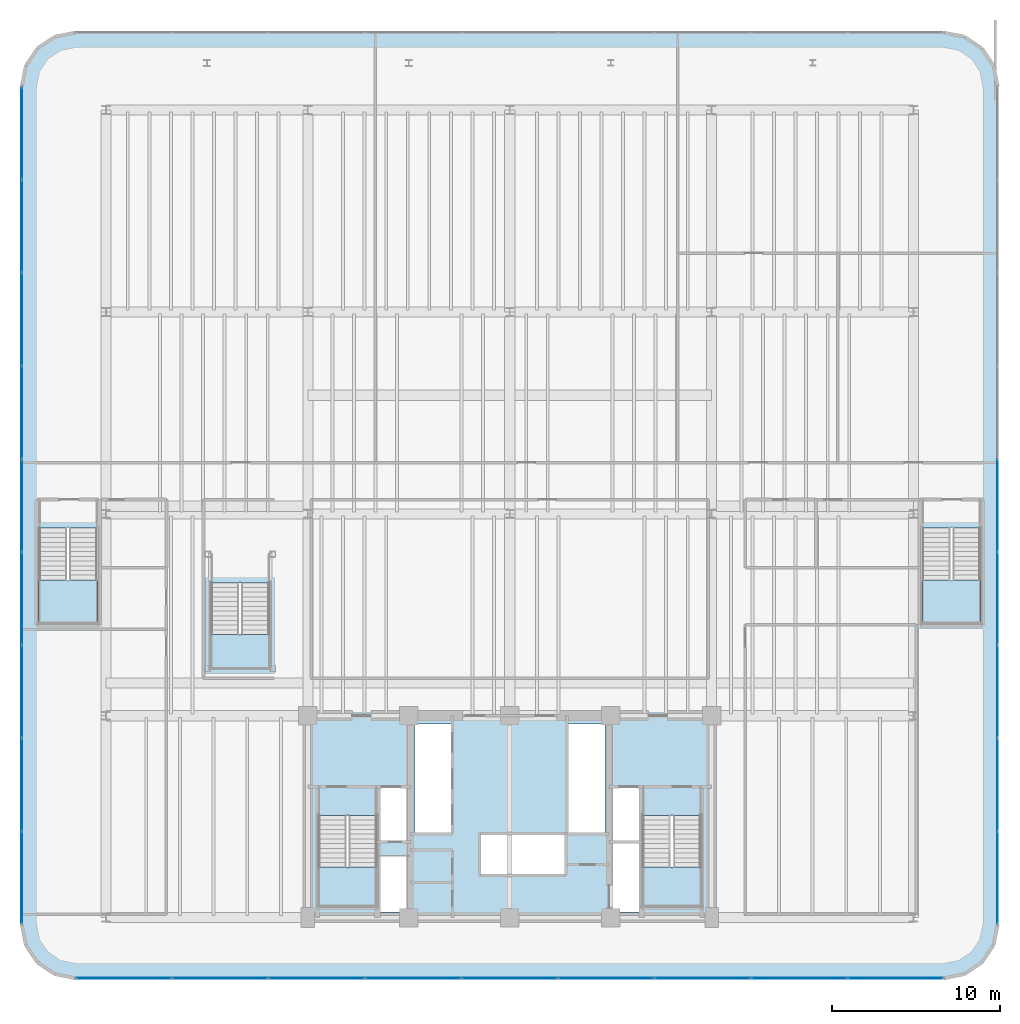
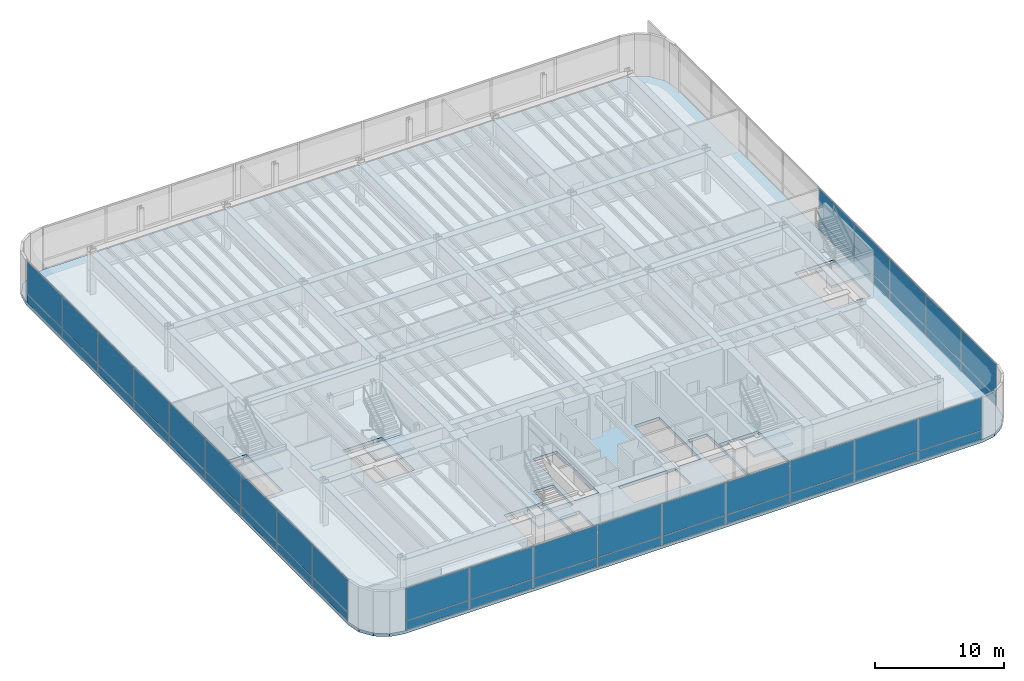
# One storey, part 11 of 19: 46 plates, 6 slabs, 8 elements without a shape of their own.
"""IFC4 building model written with IfcOpenShell, lengths in metres."""

from ifc_helpers import new_model, si_unit, direction, frame, origin, origin_2d, place, context, subcontext, project, spatial, polyline, rectangle, outline, extrude, source, transform, mapped, material, layer, layer_set, type_object, element, aggregate, save


model = new_model("IFC4")

# Units and contexts
model_context = context("Model", 3, precision=1e-05, world=origin(), true_north=direction((0.0, 1.0)))
body_context = subcontext(model_context, "Body", "Model", "MODEL_VIEW")
ifc_project = project(units=[si_unit("LENGTHUNIT", "METRE"), si_unit("AREAUNIT", "SQUARE_METRE"), si_unit("VOLUMEUNIT", "CUBIC_METRE"), si_unit("PLANEANGLEUNIT", "RADIAN"), si_unit("MASSUNIT", "GRAM", prefix="KILO")], contexts=[model_context])

# Site, building, storey
site_placement = place(None, origin())
site = spatial("IfcSite", under=ifc_project, at=site_placement, CompositionType="ELEMENT")
building_placement = place(site_placement, origin())
building = spatial("IfcBuilding", under=site, at=building_placement, Name="Brelvock Crest Care Tower", CompositionType="ELEMENT")
storey_placement = place(building_placement, frame((0.0, 0.0, 18.360107421875)))
storey = spatial("IfcBuildingStorey", under=building, at=storey_placement, Name="L04", CompositionType="ELEMENT", Elevation=18.360107421875)

# Slab
ifc_material_1 = material(Name="Concrete N50 (50 MPa)", Category="concrete")
ifc_layer_1 = layer(ifc_material_1, 0.280029296875, Name="SLB-FL2")
ifc_layer_set_1 = layer_set([ifc_layer_1], Name="Concrete N50 (50 MPa)")
slab_type_1 = type_object("IfcSlabType", Name="SLB-FL2", PredefinedType="FLOOR", material=ifc_layer_set_1)
slab_1_placement = place(storey_placement, frame((0.0, 0.0, -0.280029296875)))
element("IfcSlab", 1, at=slab_1_placement, inside=storey, type_object=slab_type_1, Name="L04 Main Structural Slab", PredefinedType="FLOOR", context=body_context, shape_type="SweptSolid", body=[
    extrude(outline(polyline([(61.800048828125, 2.39990234375), (63.024658203125, 2.6435546875), (64.062744140625, 3.33740234375), (64.75634765625, 4.37548828125), (65.0, 5.60009765625), (65.0, 55.39990234375), (64.75634765625, 56.62451171875), (64.062744140625, 57.66259765625), (63.024658203125, 58.3564453125), (61.800048828125, 58.60009765625), (10.199951171875, 58.60009765625), (8.975341796875, 58.3564453125), (7.937255859375, 57.66259765625), (7.24365234375, 56.62451171875), (7.0, 55.39990234375), (7.0, 5.60009765625), (7.24365234375, 4.37548828125), (7.937255859375, 3.33740234375), (8.975341796875, 2.6435546875), (10.199951171875, 2.39990234375), (61.800048828125, 2.39990234375)]), holes=[polyline([(28.239990234375, 10.580078125), (29.97998046875, 10.580078125), (29.97998046875, 13.739990234375), (28.239990234375, 13.739990234375), (28.239990234375, 10.580078125)]), polyline([(42.02001953125, 10.580078125), (43.760009765625, 10.580078125), (43.760009765625, 13.739990234375), (42.02001953125, 13.739990234375), (42.02001953125, 10.580078125)]), polyline([(28.239990234375, 6.340087890625), (29.97998046875, 6.340087890625), (29.97998046875, 9.64990234375), (28.239990234375, 9.64990234375), (28.239990234375, 6.340087890625)]), polyline([(24.6298828125, 12.080078125), (24.6298828125, 6.699951171875), (28.110107421875, 6.699951171875), (28.110107421875, 12.080078125), (24.6298828125, 12.080078125)]), polyline([(43.889892578125, 12.080078125), (43.889892578125, 6.699951171875), (47.3701171875, 6.699951171875), (47.3701171875, 12.080078125), (43.889892578125, 12.080078125)]), polyline([(8.010009765625, 29.14990234375), (8.010009765625, 23.5), (11.489990234375, 23.5), (11.489990234375, 29.14990234375), (8.010009765625, 29.14990234375)]), polyline([(60.510009765625, 29.14990234375), (60.510009765625, 23.5), (63.989990234375, 23.5), (63.989990234375, 29.14990234375), (60.510009765625, 29.14990234375)]), polyline([(18.239990234375, 25.89990234375), (18.239990234375, 20.800048828125), (21.719970703125, 20.800048828125), (21.719970703125, 25.89990234375), (18.239990234375, 25.89990234375)]), polyline([(42.02001953125, 6.340087890625), (43.760009765625, 6.340087890625), (43.760009765625, 10.5), (42.02001953125, 10.5), (42.02001953125, 6.340087890625)]), polyline([(30.3798828125, 11.030029296875), (32.52001953125, 11.030029296875), (32.52001953125, 17.52001953125), (30.3798828125, 17.52001953125), (30.3798828125, 11.030029296875)]), polyline([(34.22998046875, 8.530029296875), (39.320068359375, 8.530029296875), (39.320068359375, 10.969970703125), (34.22998046875, 10.969970703125), (34.22998046875, 8.530029296875)]), polyline([(39.429931640625, 11.030029296875), (41.669921875, 11.030029296875), (41.669921875, 17.52001953125), (39.429931640625, 17.52001953125), (39.429931640625, 11.030029296875)])]), origin(), (0.0, 0.0, 1.0), 0.280029296875),
])

# Stair, slab
ifc_material_2 = material(Name="Concrete N40 (40 MPa)", Category="concrete")
stair_type_1 = type_object("IfcStairType", Name="ST-CORE1", PredefinedType="HALF_TURN_STAIR", material=ifc_material_2)
stair_1_placement = place(storey_placement, origin())
stair_1 = element("IfcStair", 2, at=stair_1_placement, inside=storey, type_object=stair_type_1, Name="L04 Fire-Isolated Core Stair ST-1", PredefinedType="HALF_TURN_STAIR")
ifc_layer_2 = layer(ifc_material_2, 0.199951171875, Name="STL-1")
ifc_layer_set_2 = layer_set([ifc_layer_2], Name="Concrete N40 (40 MPa)")
slab_type_2 = type_object("IfcSlabType", Name="STL-1", PredefinedType="LANDING", material=ifc_layer_set_2)
slab_2_placement = place(storey_placement, frame((0.0, 0.0, 1.9599609375)))
slab_2 = element("IfcSlab", 3, at=slab_2_placement, type_object=slab_type_2, Name="ST-1 landing 1", PredefinedType="LANDING", context=body_context, shape_type="SweptSolid", body=[
    extrude(outline(polyline([(24.6298828125, 9.0), (24.6298828125, 6.699951171875), (28.110107421875, 6.699951171875), (28.110107421875, 9.0), (24.6298828125, 9.0)])), origin(), (0.0, 0.0, 1.0), 0.199951171875),
])
aggregate(stair_1, [slab_2])

stair_2_placement = place(storey_placement, origin())
stair_2 = element("IfcStair", 4, at=stair_2_placement, inside=storey, type_object=stair_type_1, Name="L04 Fire-Isolated Core Stair ST-2", PredefinedType="HALF_TURN_STAIR")
slab_3_placement = place(storey_placement, frame((0.0, 0.0, 1.9599609375)))
slab_3 = element("IfcSlab", 5, at=slab_3_placement, type_object=slab_type_2, Name="ST-2 landing 1", PredefinedType="LANDING", context=body_context, shape_type="SweptSolid", body=[
    extrude(outline(polyline([(43.889892578125, 9.0), (43.889892578125, 6.699951171875), (47.3701171875, 6.699951171875), (47.3701171875, 9.0), (43.889892578125, 9.0)])), origin(), (0.0, 0.0, 1.0), 0.199951171875),
])
aggregate(stair_2, [slab_3])

stair_type_2 = type_object("IfcStairType", Name="ST-POD1", PredefinedType="HALF_TURN_STAIR", material=ifc_material_2)
stair_3_placement = place(storey_placement, origin())
stair_3 = element("IfcStair", 6, at=stair_3_placement, inside=storey, type_object=stair_type_2, Name="L04 Podium West Fire Stair ST-3", PredefinedType="HALF_TURN_STAIR")
slab_4_placement = place(storey_placement, frame((0.0, 0.0, 1.9599609375)))
slab_4 = element("IfcSlab", 7, at=slab_4_placement, type_object=slab_type_2, Name="ST-3 landing 1", PredefinedType="LANDING", context=body_context, shape_type="SweptSolid", body=[
    extrude(outline(polyline([(8.010009765625, 26.070068359375), (8.010009765625, 23.5), (11.489990234375, 23.5), (11.489990234375, 26.070068359375), (8.010009765625, 26.070068359375)])), origin(), (0.0, 0.0, 1.0), 0.199951171875),
])
aggregate(stair_3, [slab_4])

stair_4_placement = place(storey_placement, origin())
stair_4 = element("IfcStair", 8, at=stair_4_placement, inside=storey, type_object=stair_type_2, Name="L04 Podium East Fire Stair ST-4", PredefinedType="HALF_TURN_STAIR")
slab_5_placement = place(storey_placement, frame((0.0, 0.0, 1.9599609375)))
slab_5 = element("IfcSlab", 9, at=slab_5_placement, type_object=slab_type_2, Name="ST-4 landing 1", PredefinedType="LANDING", context=body_context, shape_type="SweptSolid", body=[
    extrude(outline(polyline([(60.510009765625, 26.070068359375), (60.510009765625, 23.5), (63.989990234375, 23.5), (63.989990234375, 26.070068359375), (60.510009765625, 26.070068359375)])), origin(), (0.0, 0.0, 1.0), 0.199951171875),
])
aggregate(stair_4, [slab_5])

stair_type_3 = type_object("IfcStairType", Name="ST-FEA1", PredefinedType="HALF_TURN_STAIR", material=ifc_material_2)
stair_5_placement = place(storey_placement, origin())
stair_5 = element("IfcStair", 10, at=stair_5_placement, inside=storey, type_object=stair_type_3, Name="L04 Clinic Atrium Feature Stair ST-5", PredefinedType="HALF_TURN_STAIR")
slab_6_placement = place(storey_placement, frame((0.0, 0.0, 1.9599609375)))
slab_6 = element("IfcSlab", 11, at=slab_6_placement, type_object=slab_type_2, Name="ST-5 landing 1", PredefinedType="LANDING", context=body_context, shape_type="SweptSolid", body=[
    extrude(outline(polyline([(18.239990234375, 22.820068359375), (18.239990234375, 20.800048828125), (21.719970703125, 20.800048828125), (21.719970703125, 22.820068359375), (18.239990234375, 22.820068359375)])), origin(), (0.0, 0.0, 1.0), 0.199951171875),
])
aggregate(stair_5, [slab_6])

# Curtain wall, plates
ifc_material_3 = material(Name="Dark Glass Double Glazed Low-E", Category="glass")
ifc_layer_3 = layer(ifc_material_3, 0.179931640625, Name="CWS-1")
ifc_layer_set_3 = layer_set([ifc_layer_3], Name="Dark Glass Double Glazed Low-E")
curtain_wall_type = type_object("IfcCurtainWallType", Name="CWS-1", PredefinedType="NOTDEFINED", material=ifc_layer_set_3)
curtain_wall_1_placement = place(storey_placement, origin())
curtain_wall_1 = element("IfcCurtainWall", 12, at=curtain_wall_1_placement, inside=storey, type_object=curtain_wall_type, Name="L04 Curtain Wall E04", PredefinedType="NOTDEFINED")
ifc_material_4 = material(Name="Dark Glass Shadow-Box Spandrel", Category="glass")
ifc_layer_4 = layer(ifc_material_4, 0.048095703125, Name="CWP-SP1")
ifc_layer_set_4 = layer_set([ifc_layer_4], Name="Dark Glass Shadow-Box Spandrel")
plate_type_1 = type_object("IfcPlateType", Name="CWP-SP1", PredefinedType="SHEET", material=ifc_layer_set_4)
shared_shape_1 = source(origin(), body_context, "Body", "SweptSolid", [
    extrude(rectangle(XDim=5.435791015625, YDim=0.035888671875, at=origin_2d()), origin(), (0.0, 0.0, 1.0), 0.802490234375),
])
plate_1_placement = place(storey_placement, frame((7.0, 8.3828125, 0.06494140625), z_axis=(0.0, 0.0, 1.0), x_axis=(0.0, 1.0, 0.0)))
plate_1 = element("IfcPlate", 13, at=plate_1_placement, type_object=plate_type_1, Name="CW-1 panel 1.1", PredefinedType="SHEET", context=body_context, shape_type="MappedRepresentation", body=[
    mapped(shared_shape_1, transform((0.0, 0.0, 0.0), x_axis=(1.0, 0.0, 0.0), y_axis=(0.0, 1.0, 0.0), z_axis=(0.0, 0.0, 1.0), scale=1.0)),
])
plate_2_placement = place(storey_placement, frame((7.0, 52.6171875, 0.06494140625), z_axis=(0.0, 0.0, 1.0), x_axis=(0.0, 1.0, 0.0)))
plate_2 = element("IfcPlate", 14, at=plate_2_placement, type_object=plate_type_1, Name="CW-1 panel 9.1", PredefinedType="SHEET", context=body_context, shape_type="MappedRepresentation", body=[
    mapped(shared_shape_1, transform((0.0, 0.0, 0.0), x_axis=(1.0, 0.0, 0.0), y_axis=(0.0, 1.0, 0.0), z_axis=(0.0, 0.0, 1.0), scale=1.0)),
])

# Curtain wall, plate
curtain_wall_2_placement = place(storey_placement, origin())
curtain_wall_2 = element("IfcCurtainWall", 15, at=curtain_wall_2_placement, inside=storey, type_object=curtain_wall_type, Name="L04 Curtain Wall E14", PredefinedType="NOTDEFINED")
plate_3_placement = place(storey_placement, frame((65.0, 8.3828125, 0.06494140625), z_axis=(0.0, 0.0, 1.0), x_axis=(0.0, -1.0, 0.0)))
plate_3 = element("IfcPlate", 16, at=plate_3_placement, type_object=plate_type_1, Name="CW-1 panel 9.1", PredefinedType="SHEET", context=body_context, shape_type="MappedRepresentation", body=[
    mapped(shared_shape_1, transform((0.0, 0.0, 0.0), x_axis=(1.0, 0.0, 0.0), y_axis=(0.0, 1.0, 0.0), z_axis=(0.0, 0.0, 1.0), scale=1.0)),
])

# Plate
ifc_layer_5 = layer(ifc_material_3, 0.031982421875, Name="CWP-V1")
ifc_layer_set_5 = layer_set([ifc_layer_5], Name="Dark Glass Double Glazed Low-E")
plate_type_2 = type_object("IfcPlateType", Name="CWP-V1", PredefinedType="CURTAIN_PANEL", material=ifc_layer_set_5)
shared_shape_2 = source(origin(), body_context, "Body", "SweptSolid", [
    extrude(rectangle(XDim=5.435791015625, YDim=0.035888671875, at=origin_2d()), origin(), (0.0, 0.0, 1.0), 3.04248046875),
])
plate_4_placement = place(storey_placement, frame((7.0, 8.3828125, 0.932373046875), z_axis=(0.0, 0.0, 1.0), x_axis=(0.0, 1.0, 0.0)))
plate_4 = element("IfcPlate", 17, at=plate_4_placement, type_object=plate_type_2, Name="CW-1 panel 1.2", PredefinedType="CURTAIN_PANEL", context=body_context, shape_type="MappedRepresentation", body=[
    mapped(shared_shape_2, transform((0.0, 0.0, 0.0), x_axis=(1.0, 0.0, 0.0), y_axis=(0.0, 1.0, 0.0), z_axis=(0.0, 0.0, 1.0), scale=1.0)),
])

plate_5_placement = place(storey_placement, frame((7.0, 52.6171875, 0.932373046875), z_axis=(0.0, 0.0, 1.0), x_axis=(0.0, 1.0, 0.0)))
plate_5 = element("IfcPlate", 18, at=plate_5_placement, type_object=plate_type_2, Name="CW-1 panel 9.2", PredefinedType="CURTAIN_PANEL", context=body_context, shape_type="MappedRepresentation", body=[
    mapped(shared_shape_2, transform((0.0, 0.0, 0.0), x_axis=(1.0, 0.0, 0.0), y_axis=(0.0, 1.0, 0.0), z_axis=(0.0, 0.0, 1.0), scale=1.0)),
])

plate_6_placement = place(storey_placement, frame((65.0, 8.3828125, 0.932373046875), z_axis=(0.0, 0.0, 1.0), x_axis=(0.0, -1.0, 0.0)))
plate_6 = element("IfcPlate", 19, at=plate_6_placement, type_object=plate_type_2, Name="CW-1 panel 9.2", PredefinedType="CURTAIN_PANEL", context=body_context, shape_type="MappedRepresentation", body=[
    mapped(shared_shape_2, transform((0.0, 0.0, 0.0), x_axis=(1.0, 0.0, 0.0), y_axis=(0.0, 1.0, 0.0), z_axis=(0.0, 0.0, 1.0), scale=1.0)),
])

shared_shape_3 = source(origin(), body_context, "Body", "SweptSolid", [
    extrude(rectangle(XDim=5.46826171875, YDim=0.035888671875, at=origin_2d()), origin(), (0.0, 0.0, 1.0), 0.802490234375),
])
plate_7_placement = place(storey_placement, frame((7.0, 13.89990234375, 0.06494140625), z_axis=(0.0, 0.0, 1.0), x_axis=(0.0, 1.0, 0.0)))
plate_7 = element("IfcPlate", 20, at=plate_7_placement, type_object=plate_type_1, Name="CW-1 panel 2.1", PredefinedType="SHEET", context=body_context, shape_type="MappedRepresentation", body=[
    mapped(shared_shape_3, transform((0.0, 0.0, 0.0), x_axis=(1.0, 0.0, 0.0), y_axis=(0.0, 1.0, 0.0), z_axis=(0.0, 0.0, 1.0), scale=1.0)),
])

plate_8_placement = place(storey_placement, frame((7.0, 19.433349609375, 0.06494140625), z_axis=(0.0, 0.0, 1.0), x_axis=(0.0, 1.0, 0.0)))
plate_8 = element("IfcPlate", 21, at=plate_8_placement, type_object=plate_type_1, Name="CW-1 panel 3.1", PredefinedType="SHEET", context=body_context, shape_type="MappedRepresentation", body=[
    mapped(shared_shape_3, transform((0.0, 0.0, 0.0), x_axis=(1.0, 0.0, 0.0), y_axis=(0.0, 1.0, 0.0), z_axis=(0.0, 0.0, 1.0), scale=1.0)),
])

plate_9_placement = place(storey_placement, frame((7.0, 24.966552734375, 0.06494140625), z_axis=(0.0, 0.0, 1.0), x_axis=(0.0, 1.0, 0.0)))
plate_9 = element("IfcPlate", 22, at=plate_9_placement, type_object=plate_type_1, Name="CW-1 panel 4.1", PredefinedType="SHEET", context=body_context, shape_type="MappedRepresentation", body=[
    mapped(shared_shape_3, transform((0.0, 0.0, 0.0), x_axis=(1.0, 0.0, 0.0), y_axis=(0.0, 1.0, 0.0), z_axis=(0.0, 0.0, 1.0), scale=1.0)),
])

plate_10_placement = place(storey_placement, frame((7.0, 30.5, 0.06494140625), z_axis=(0.0, 0.0, 1.0), x_axis=(0.0, 1.0, 0.0)))
plate_10 = element("IfcPlate", 23, at=plate_10_placement, type_object=plate_type_1, Name="CW-1 panel 5.1", PredefinedType="SHEET", context=body_context, shape_type="MappedRepresentation", body=[
    mapped(shared_shape_3, transform((0.0, 0.0, 0.0), x_axis=(1.0, 0.0, 0.0), y_axis=(0.0, 1.0, 0.0), z_axis=(0.0, 0.0, 1.0), scale=1.0)),
])

plate_11_placement = place(storey_placement, frame((7.0, 36.033447265625, 0.06494140625), z_axis=(0.0, 0.0, 1.0), x_axis=(0.0, 1.0, 0.0)))
plate_11 = element("IfcPlate", 24, at=plate_11_placement, type_object=plate_type_1, Name="CW-1 panel 6.1", PredefinedType="SHEET", context=body_context, shape_type="MappedRepresentation", body=[
    mapped(shared_shape_3, transform((0.0, 0.0, 0.0), x_axis=(1.0, 0.0, 0.0), y_axis=(0.0, 1.0, 0.0), z_axis=(0.0, 0.0, 1.0), scale=1.0)),
])

plate_12_placement = place(storey_placement, frame((7.0, 41.566650390625, 0.06494140625), z_axis=(0.0, 0.0, 1.0), x_axis=(0.0, 1.0, 0.0)))
plate_12 = element("IfcPlate", 25, at=plate_12_placement, type_object=plate_type_1, Name="CW-1 panel 7.1", PredefinedType="SHEET", context=body_context, shape_type="MappedRepresentation", body=[
    mapped(shared_shape_3, transform((0.0, 0.0, 0.0), x_axis=(1.0, 0.0, 0.0), y_axis=(0.0, 1.0, 0.0), z_axis=(0.0, 0.0, 1.0), scale=1.0)),
])

plate_13_placement = place(storey_placement, frame((7.0, 47.10009765625, 0.06494140625), z_axis=(0.0, 0.0, 1.0), x_axis=(0.0, 1.0, 0.0)))
plate_13 = element("IfcPlate", 26, at=plate_13_placement, type_object=plate_type_1, Name="CW-1 panel 8.1", PredefinedType="SHEET", context=body_context, shape_type="MappedRepresentation", body=[
    mapped(shared_shape_3, transform((0.0, 0.0, 0.0), x_axis=(1.0, 0.0, 0.0), y_axis=(0.0, 1.0, 0.0), z_axis=(0.0, 0.0, 1.0), scale=1.0)),
])

plate_14_placement = place(storey_placement, frame((65.0, 30.5, 0.06494140625), z_axis=(0.0, 0.0, 1.0), x_axis=(0.0, -1.0, 0.0)))
plate_14 = element("IfcPlate", 27, at=plate_14_placement, type_object=plate_type_1, Name="CW-1 panel 5.1", PredefinedType="SHEET", context=body_context, shape_type="MappedRepresentation", body=[
    mapped(shared_shape_3, transform((0.0, 0.0, 0.0), x_axis=(1.0, 0.0, 0.0), y_axis=(0.0, 1.0, 0.0), z_axis=(0.0, 0.0, 1.0), scale=1.0)),
])

plate_15_placement = place(storey_placement, frame((65.0, 24.966552734375, 0.06494140625), z_axis=(0.0, 0.0, 1.0), x_axis=(0.0, -1.0, 0.0)))
plate_15 = element("IfcPlate", 28, at=plate_15_placement, type_object=plate_type_1, Name="CW-1 panel 6.1", PredefinedType="SHEET", context=body_context, shape_type="MappedRepresentation", body=[
    mapped(shared_shape_3, transform((0.0, 0.0, 0.0), x_axis=(1.0, 0.0, 0.0), y_axis=(0.0, 1.0, 0.0), z_axis=(0.0, 0.0, 1.0), scale=1.0)),
])

plate_16_placement = place(storey_placement, frame((65.0, 19.433349609375, 0.06494140625), z_axis=(0.0, 0.0, 1.0), x_axis=(0.0, -1.0, 0.0)))
plate_16 = element("IfcPlate", 29, at=plate_16_placement, type_object=plate_type_1, Name="CW-1 panel 7.1", PredefinedType="SHEET", context=body_context, shape_type="MappedRepresentation", body=[
    mapped(shared_shape_3, transform((0.0, 0.0, 0.0), x_axis=(1.0, 0.0, 0.0), y_axis=(0.0, 1.0, 0.0), z_axis=(0.0, 0.0, 1.0), scale=1.0)),
])

plate_17_placement = place(storey_placement, frame((65.0, 13.89990234375, 0.06494140625), z_axis=(0.0, 0.0, 1.0), x_axis=(0.0, -1.0, 0.0)))
plate_17 = element("IfcPlate", 30, at=plate_17_placement, type_object=plate_type_1, Name="CW-1 panel 8.1", PredefinedType="SHEET", context=body_context, shape_type="MappedRepresentation", body=[
    mapped(shared_shape_3, transform((0.0, 0.0, 0.0), x_axis=(1.0, 0.0, 0.0), y_axis=(0.0, 1.0, 0.0), z_axis=(0.0, 0.0, 1.0), scale=1.0)),
])

shared_shape_4 = source(origin(), body_context, "Body", "SweptSolid", [
    extrude(rectangle(XDim=5.46826171875, YDim=0.035888671875, at=origin_2d()), origin(), (0.0, 0.0, 1.0), 3.04248046875),
])
plate_18_placement = place(storey_placement, frame((7.0, 13.89990234375, 0.932373046875), z_axis=(0.0, 0.0, 1.0), x_axis=(0.0, 1.0, 0.0)))
plate_18 = element("IfcPlate", 31, at=plate_18_placement, type_object=plate_type_2, Name="CW-1 panel 2.2", PredefinedType="CURTAIN_PANEL", context=body_context, shape_type="MappedRepresentation", body=[
    mapped(shared_shape_4, transform((0.0, 0.0, 0.0), x_axis=(1.0, 0.0, 0.0), y_axis=(0.0, 1.0, 0.0), z_axis=(0.0, 0.0, 1.0), scale=1.0)),
])

plate_19_placement = place(storey_placement, frame((7.0, 19.433349609375, 0.932373046875), z_axis=(0.0, 0.0, 1.0), x_axis=(0.0, 1.0, 0.0)))
plate_19 = element("IfcPlate", 32, at=plate_19_placement, type_object=plate_type_2, Name="CW-1 panel 3.2", PredefinedType="CURTAIN_PANEL", context=body_context, shape_type="MappedRepresentation", body=[
    mapped(shared_shape_4, transform((0.0, 0.0, 0.0), x_axis=(1.0, 0.0, 0.0), y_axis=(0.0, 1.0, 0.0), z_axis=(0.0, 0.0, 1.0), scale=1.0)),
])

plate_20_placement = place(storey_placement, frame((7.0, 24.966552734375, 0.932373046875), z_axis=(0.0, 0.0, 1.0), x_axis=(0.0, 1.0, 0.0)))
plate_20 = element("IfcPlate", 33, at=plate_20_placement, type_object=plate_type_2, Name="CW-1 panel 4.2", PredefinedType="CURTAIN_PANEL", context=body_context, shape_type="MappedRepresentation", body=[
    mapped(shared_shape_4, transform((0.0, 0.0, 0.0), x_axis=(1.0, 0.0, 0.0), y_axis=(0.0, 1.0, 0.0), z_axis=(0.0, 0.0, 1.0), scale=1.0)),
])

plate_21_placement = place(storey_placement, frame((7.0, 30.5, 0.932373046875), z_axis=(0.0, 0.0, 1.0), x_axis=(0.0, 1.0, 0.0)))
plate_21 = element("IfcPlate", 34, at=plate_21_placement, type_object=plate_type_2, Name="CW-1 panel 5.2", PredefinedType="CURTAIN_PANEL", context=body_context, shape_type="MappedRepresentation", body=[
    mapped(shared_shape_4, transform((0.0, 0.0, 0.0), x_axis=(1.0, 0.0, 0.0), y_axis=(0.0, 1.0, 0.0), z_axis=(0.0, 0.0, 1.0), scale=1.0)),
])

plate_22_placement = place(storey_placement, frame((7.0, 36.033447265625, 0.932373046875), z_axis=(0.0, 0.0, 1.0), x_axis=(0.0, 1.0, 0.0)))
plate_22 = element("IfcPlate", 35, at=plate_22_placement, type_object=plate_type_2, Name="CW-1 panel 6.2", PredefinedType="CURTAIN_PANEL", context=body_context, shape_type="MappedRepresentation", body=[
    mapped(shared_shape_4, transform((0.0, 0.0, 0.0), x_axis=(1.0, 0.0, 0.0), y_axis=(0.0, 1.0, 0.0), z_axis=(0.0, 0.0, 1.0), scale=1.0)),
])

plate_23_placement = place(storey_placement, frame((7.0, 41.566650390625, 0.932373046875), z_axis=(0.0, 0.0, 1.0), x_axis=(0.0, 1.0, 0.0)))
plate_23 = element("IfcPlate", 36, at=plate_23_placement, type_object=plate_type_2, Name="CW-1 panel 7.2", PredefinedType="CURTAIN_PANEL", context=body_context, shape_type="MappedRepresentation", body=[
    mapped(shared_shape_4, transform((0.0, 0.0, 0.0), x_axis=(1.0, 0.0, 0.0), y_axis=(0.0, 1.0, 0.0), z_axis=(0.0, 0.0, 1.0), scale=1.0)),
])

plate_24_placement = place(storey_placement, frame((7.0, 47.10009765625, 0.932373046875), z_axis=(0.0, 0.0, 1.0), x_axis=(0.0, 1.0, 0.0)))
plate_24 = element("IfcPlate", 37, at=plate_24_placement, type_object=plate_type_2, Name="CW-1 panel 8.2", PredefinedType="CURTAIN_PANEL", context=body_context, shape_type="MappedRepresentation", body=[
    mapped(shared_shape_4, transform((0.0, 0.0, 0.0), x_axis=(1.0, 0.0, 0.0), y_axis=(0.0, 1.0, 0.0), z_axis=(0.0, 0.0, 1.0), scale=1.0)),
])

aggregate(curtain_wall_1, [plate_1, plate_4, plate_7, plate_18, plate_8, plate_19, plate_9, plate_20, plate_10, plate_21, plate_11, plate_22, plate_12, plate_23, plate_13, plate_24, plate_2, plate_5])

plate_25_placement = place(storey_placement, frame((65.0, 30.5, 0.932373046875), z_axis=(0.0, 0.0, 1.0), x_axis=(0.0, -1.0, 0.0)))
plate_25 = element("IfcPlate", 38, at=plate_25_placement, type_object=plate_type_2, Name="CW-1 panel 5.2", PredefinedType="CURTAIN_PANEL", context=body_context, shape_type="MappedRepresentation", body=[
    mapped(shared_shape_4, transform((0.0, 0.0, 0.0), x_axis=(1.0, 0.0, 0.0), y_axis=(0.0, 1.0, 0.0), z_axis=(0.0, 0.0, 1.0), scale=1.0)),
])

plate_26_placement = place(storey_placement, frame((65.0, 24.966552734375, 0.932373046875), z_axis=(0.0, 0.0, 1.0), x_axis=(0.0, -1.0, 0.0)))
plate_26 = element("IfcPlate", 39, at=plate_26_placement, type_object=plate_type_2, Name="CW-1 panel 6.2", PredefinedType="CURTAIN_PANEL", context=body_context, shape_type="MappedRepresentation", body=[
    mapped(shared_shape_4, transform((0.0, 0.0, 0.0), x_axis=(1.0, 0.0, 0.0), y_axis=(0.0, 1.0, 0.0), z_axis=(0.0, 0.0, 1.0), scale=1.0)),
])

plate_27_placement = place(storey_placement, frame((65.0, 19.433349609375, 0.932373046875), z_axis=(0.0, 0.0, 1.0), x_axis=(0.0, -1.0, 0.0)))
plate_27 = element("IfcPlate", 40, at=plate_27_placement, type_object=plate_type_2, Name="CW-1 panel 7.2", PredefinedType="CURTAIN_PANEL", context=body_context, shape_type="MappedRepresentation", body=[
    mapped(shared_shape_4, transform((0.0, 0.0, 0.0), x_axis=(1.0, 0.0, 0.0), y_axis=(0.0, 1.0, 0.0), z_axis=(0.0, 0.0, 1.0), scale=1.0)),
])

plate_28_placement = place(storey_placement, frame((65.0, 13.89990234375, 0.932373046875), z_axis=(0.0, 0.0, 1.0), x_axis=(0.0, -1.0, 0.0)))
plate_28 = element("IfcPlate", 41, at=plate_28_placement, type_object=plate_type_2, Name="CW-1 panel 8.2", PredefinedType="CURTAIN_PANEL", context=body_context, shape_type="MappedRepresentation", body=[
    mapped(shared_shape_4, transform((0.0, 0.0, 0.0), x_axis=(1.0, 0.0, 0.0), y_axis=(0.0, 1.0, 0.0), z_axis=(0.0, 0.0, 1.0), scale=1.0)),
])

aggregate(curtain_wall_2, [plate_14, plate_25, plate_15, plate_26, plate_16, plate_27, plate_17, plate_28, plate_3, plate_6])

# Curtain wall, plates
curtain_wall_3_placement = place(storey_placement, origin())
curtain_wall_3 = element("IfcCurtainWall", 42, at=curtain_wall_3_placement, inside=storey, type_object=curtain_wall_type, Name="L04 Curtain Wall E19", PredefinedType="NOTDEFINED")
shared_shape_5 = source(origin(), body_context, "Body", "SweptSolid", [
    extrude(rectangle(XDim=5.6357421875, YDim=0.035888671875, at=origin_2d()), origin(), (0.0, 0.0, 1.0), 0.802490234375),
])
plate_29_placement = place(storey_placement, frame((58.9169921875, 2.39990234375, 0.06494140625), z_axis=(0.0, 0.0, 1.0), x_axis=(-1.0, 0.0, 0.0)))
plate_29 = element("IfcPlate", 43, at=plate_29_placement, type_object=plate_type_1, Name="CW-1 panel 1.1", PredefinedType="SHEET", context=body_context, shape_type="MappedRepresentation", body=[
    mapped(shared_shape_5, transform((0.0, 0.0, 0.0), x_axis=(1.0, 0.0, 0.0), y_axis=(0.0, 1.0, 0.0), z_axis=(0.0, 0.0, 1.0), scale=1.0)),
])
plate_30_placement = place(storey_placement, frame((13.0830078125, 2.39990234375, 0.06494140625), z_axis=(0.0, 0.0, 1.0), x_axis=(-1.0, 0.0, 0.0)))
plate_30 = element("IfcPlate", 44, at=plate_30_placement, type_object=plate_type_1, Name="CW-1 panel 9.1", PredefinedType="SHEET", context=body_context, shape_type="MappedRepresentation", body=[
    mapped(shared_shape_5, transform((0.0, 0.0, 0.0), x_axis=(1.0, 0.0, 0.0), y_axis=(0.0, 1.0, 0.0), z_axis=(0.0, 0.0, 1.0), scale=1.0)),
])
shared_shape_6 = source(origin(), body_context, "Body", "SweptSolid", [
    extrude(rectangle(XDim=5.6357421875, YDim=0.035888671875, at=origin_2d()), origin(), (0.0, 0.0, 1.0), 3.04248046875),
])
plate_31_placement = place(storey_placement, frame((58.9169921875, 2.39990234375, 0.932373046875), z_axis=(0.0, 0.0, 1.0), x_axis=(-1.0, 0.0, 0.0)))
plate_31 = element("IfcPlate", 45, at=plate_31_placement, type_object=plate_type_2, Name="CW-1 panel 1.2", PredefinedType="CURTAIN_PANEL", context=body_context, shape_type="MappedRepresentation", body=[
    mapped(shared_shape_6, transform((0.0, 0.0, 0.0), x_axis=(1.0, 0.0, 0.0), y_axis=(0.0, 1.0, 0.0), z_axis=(0.0, 0.0, 1.0), scale=1.0)),
])
plate_32_placement = place(storey_placement, frame((13.0830078125, 2.39990234375, 0.932373046875), z_axis=(0.0, 0.0, 1.0), x_axis=(-1.0, 0.0, 0.0)))
plate_32 = element("IfcPlate", 46, at=plate_32_placement, type_object=plate_type_2, Name="CW-1 panel 9.2", PredefinedType="CURTAIN_PANEL", context=body_context, shape_type="MappedRepresentation", body=[
    mapped(shared_shape_6, transform((0.0, 0.0, 0.0), x_axis=(1.0, 0.0, 0.0), y_axis=(0.0, 1.0, 0.0), z_axis=(0.0, 0.0, 1.0), scale=1.0)),
])
shared_shape_7 = source(origin(), body_context, "Body", "SweptSolid", [
    extrude(rectangle(XDim=5.668212890625, YDim=0.035888671875, at=origin_2d()), origin(), (0.0, 0.0, 1.0), 0.802490234375),
])
plate_33_placement = place(storey_placement, frame((53.199951171875, 2.39990234375, 0.06494140625), z_axis=(0.0, 0.0, 1.0), x_axis=(-1.0, 0.0, 0.0)))
plate_33 = element("IfcPlate", 47, at=plate_33_placement, type_object=plate_type_1, Name="CW-1 panel 2.1", PredefinedType="SHEET", context=body_context, shape_type="MappedRepresentation", body=[
    mapped(shared_shape_7, transform((0.0, 0.0, 0.0), x_axis=(1.0, 0.0, 0.0), y_axis=(0.0, 1.0, 0.0), z_axis=(0.0, 0.0, 1.0), scale=1.0)),
])
plate_34_placement = place(storey_placement, frame((47.466552734375, 2.39990234375, 0.06494140625), z_axis=(0.0, 0.0, 1.0), x_axis=(-1.0, 0.0, 0.0)))
plate_34 = element("IfcPlate", 48, at=plate_34_placement, type_object=plate_type_1, Name="CW-1 panel 3.1", PredefinedType="SHEET", context=body_context, shape_type="MappedRepresentation", body=[
    mapped(shared_shape_7, transform((0.0, 0.0, 0.0), x_axis=(1.0, 0.0, 0.0), y_axis=(0.0, 1.0, 0.0), z_axis=(0.0, 0.0, 1.0), scale=1.0)),
])
plate_35_placement = place(storey_placement, frame((41.7333984375, 2.39990234375, 0.06494140625), z_axis=(0.0, 0.0, 1.0), x_axis=(-1.0, 0.0, 0.0)))
plate_35 = element("IfcPlate", 49, at=plate_35_placement, type_object=plate_type_1, Name="CW-1 panel 4.1", PredefinedType="SHEET", context=body_context, shape_type="MappedRepresentation", body=[
    mapped(shared_shape_7, transform((0.0, 0.0, 0.0), x_axis=(1.0, 0.0, 0.0), y_axis=(0.0, 1.0, 0.0), z_axis=(0.0, 0.0, 1.0), scale=1.0)),
])
plate_36_placement = place(storey_placement, frame((36.0, 2.39990234375, 0.06494140625), z_axis=(0.0, 0.0, 1.0), x_axis=(-1.0, 0.0, 0.0)))
plate_36 = element("IfcPlate", 50, at=plate_36_placement, type_object=plate_type_1, Name="CW-1 panel 5.1", PredefinedType="SHEET", context=body_context, shape_type="MappedRepresentation", body=[
    mapped(shared_shape_7, transform((0.0, 0.0, 0.0), x_axis=(1.0, 0.0, 0.0), y_axis=(0.0, 1.0, 0.0), z_axis=(0.0, 0.0, 1.0), scale=1.0)),
])
plate_37_placement = place(storey_placement, frame((30.2666015625, 2.39990234375, 0.06494140625), z_axis=(0.0, 0.0, 1.0), x_axis=(-1.0, 0.0, 0.0)))
plate_37 = element("IfcPlate", 51, at=plate_37_placement, type_object=plate_type_1, Name="CW-1 panel 6.1", PredefinedType="SHEET", context=body_context, shape_type="MappedRepresentation", body=[
    mapped(shared_shape_7, transform((0.0, 0.0, 0.0), x_axis=(1.0, 0.0, 0.0), y_axis=(0.0, 1.0, 0.0), z_axis=(0.0, 0.0, 1.0), scale=1.0)),
])
plate_38_placement = place(storey_placement, frame((24.533447265625, 2.39990234375, 0.06494140625), z_axis=(0.0, 0.0, 1.0), x_axis=(-1.0, 0.0, 0.0)))
plate_38 = element("IfcPlate", 52, at=plate_38_placement, type_object=plate_type_1, Name="CW-1 panel 7.1", PredefinedType="SHEET", context=body_context, shape_type="MappedRepresentation", body=[
    mapped(shared_shape_7, transform((0.0, 0.0, 0.0), x_axis=(1.0, 0.0, 0.0), y_axis=(0.0, 1.0, 0.0), z_axis=(0.0, 0.0, 1.0), scale=1.0)),
])
plate_39_placement = place(storey_placement, frame((18.800048828125, 2.39990234375, 0.06494140625), z_axis=(0.0, 0.0, 1.0), x_axis=(-1.0, 0.0, 0.0)))
plate_39 = element("IfcPlate", 53, at=plate_39_placement, type_object=plate_type_1, Name="CW-1 panel 8.1", PredefinedType="SHEET", context=body_context, shape_type="MappedRepresentation", body=[
    mapped(shared_shape_7, transform((0.0, 0.0, 0.0), x_axis=(1.0, 0.0, 0.0), y_axis=(0.0, 1.0, 0.0), z_axis=(0.0, 0.0, 1.0), scale=1.0)),
])
shared_shape_8 = source(origin(), body_context, "Body", "SweptSolid", [
    extrude(rectangle(XDim=5.668212890625, YDim=0.035888671875, at=origin_2d()), origin(), (0.0, 0.0, 1.0), 3.04248046875),
])
plate_40_placement = place(storey_placement, frame((53.199951171875, 2.39990234375, 0.932373046875), z_axis=(0.0, 0.0, 1.0), x_axis=(-1.0, 0.0, 0.0)))
plate_40 = element("IfcPlate", 54, at=plate_40_placement, type_object=plate_type_2, Name="CW-1 panel 2.2", PredefinedType="CURTAIN_PANEL", context=body_context, shape_type="MappedRepresentation", body=[
    mapped(shared_shape_8, transform((0.0, 0.0, 0.0), x_axis=(1.0, 0.0, 0.0), y_axis=(0.0, 1.0, 0.0), z_axis=(0.0, 0.0, 1.0), scale=1.0)),
])
plate_41_placement = place(storey_placement, frame((47.466552734375, 2.39990234375, 0.932373046875), z_axis=(0.0, 0.0, 1.0), x_axis=(-1.0, 0.0, 0.0)))
plate_41 = element("IfcPlate", 55, at=plate_41_placement, type_object=plate_type_2, Name="CW-1 panel 3.2", PredefinedType="CURTAIN_PANEL", context=body_context, shape_type="MappedRepresentation", body=[
    mapped(shared_shape_8, transform((0.0, 0.0, 0.0), x_axis=(1.0, 0.0, 0.0), y_axis=(0.0, 1.0, 0.0), z_axis=(0.0, 0.0, 1.0), scale=1.0)),
])
plate_42_placement = place(storey_placement, frame((41.7333984375, 2.39990234375, 0.932373046875), z_axis=(0.0, 0.0, 1.0), x_axis=(-1.0, 0.0, 0.0)))
plate_42 = element("IfcPlate", 56, at=plate_42_placement, type_object=plate_type_2, Name="CW-1 panel 4.2", PredefinedType="CURTAIN_PANEL", context=body_context, shape_type="MappedRepresentation", body=[
    mapped(shared_shape_8, transform((0.0, 0.0, 0.0), x_axis=(1.0, 0.0, 0.0), y_axis=(0.0, 1.0, 0.0), z_axis=(0.0, 0.0, 1.0), scale=1.0)),
])
plate_43_placement = place(storey_placement, frame((36.0, 2.39990234375, 0.932373046875), z_axis=(0.0, 0.0, 1.0), x_axis=(-1.0, 0.0, 0.0)))
plate_43 = element("IfcPlate", 57, at=plate_43_placement, type_object=plate_type_2, Name="CW-1 panel 5.2", PredefinedType="CURTAIN_PANEL", context=body_context, shape_type="MappedRepresentation", body=[
    mapped(shared_shape_8, transform((0.0, 0.0, 0.0), x_axis=(1.0, 0.0, 0.0), y_axis=(0.0, 1.0, 0.0), z_axis=(0.0, 0.0, 1.0), scale=1.0)),
])
plate_44_placement = place(storey_placement, frame((30.2666015625, 2.39990234375, 0.932373046875), z_axis=(0.0, 0.0, 1.0), x_axis=(-1.0, 0.0, 0.0)))
plate_44 = element("IfcPlate", 58, at=plate_44_placement, type_object=plate_type_2, Name="CW-1 panel 6.2", PredefinedType="CURTAIN_PANEL", context=body_context, shape_type="MappedRepresentation", body=[
    mapped(shared_shape_8, transform((0.0, 0.0, 0.0), x_axis=(1.0, 0.0, 0.0), y_axis=(0.0, 1.0, 0.0), z_axis=(0.0, 0.0, 1.0), scale=1.0)),
])
plate_45_placement = place(storey_placement, frame((24.533447265625, 2.39990234375, 0.932373046875), z_axis=(0.0, 0.0, 1.0), x_axis=(-1.0, 0.0, 0.0)))
plate_45 = element("IfcPlate", 59, at=plate_45_placement, type_object=plate_type_2, Name="CW-1 panel 7.2", PredefinedType="CURTAIN_PANEL", context=body_context, shape_type="MappedRepresentation", body=[
    mapped(shared_shape_8, transform((0.0, 0.0, 0.0), x_axis=(1.0, 0.0, 0.0), y_axis=(0.0, 1.0, 0.0), z_axis=(0.0, 0.0, 1.0), scale=1.0)),
])
plate_46_placement = place(storey_placement, frame((18.800048828125, 2.39990234375, 0.932373046875), z_axis=(0.0, 0.0, 1.0), x_axis=(-1.0, 0.0, 0.0)))
plate_46 = element("IfcPlate", 60, at=plate_46_placement, type_object=plate_type_2, Name="CW-1 panel 8.2", PredefinedType="CURTAIN_PANEL", context=body_context, shape_type="MappedRepresentation", body=[
    mapped(shared_shape_8, transform((0.0, 0.0, 0.0), x_axis=(1.0, 0.0, 0.0), y_axis=(0.0, 1.0, 0.0), z_axis=(0.0, 0.0, 1.0), scale=1.0)),
])
aggregate(curtain_wall_3, [plate_29, plate_31, plate_33, plate_40, plate_34, plate_41, plate_35, plate_42, plate_36, plate_43, plate_37, plate_44, plate_38, plate_45, plate_39, plate_46, plate_30, plate_32])

save(model, "model.ifc")
